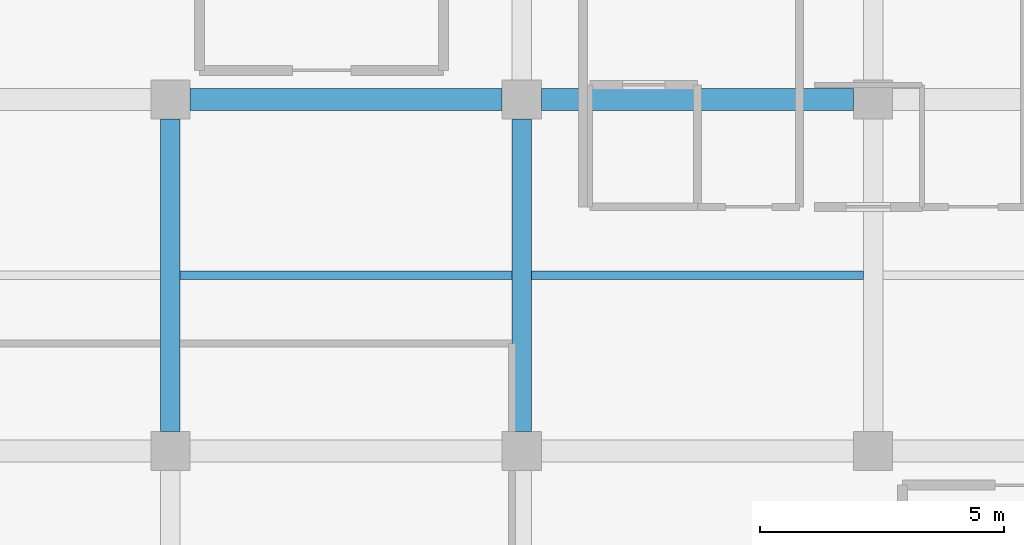
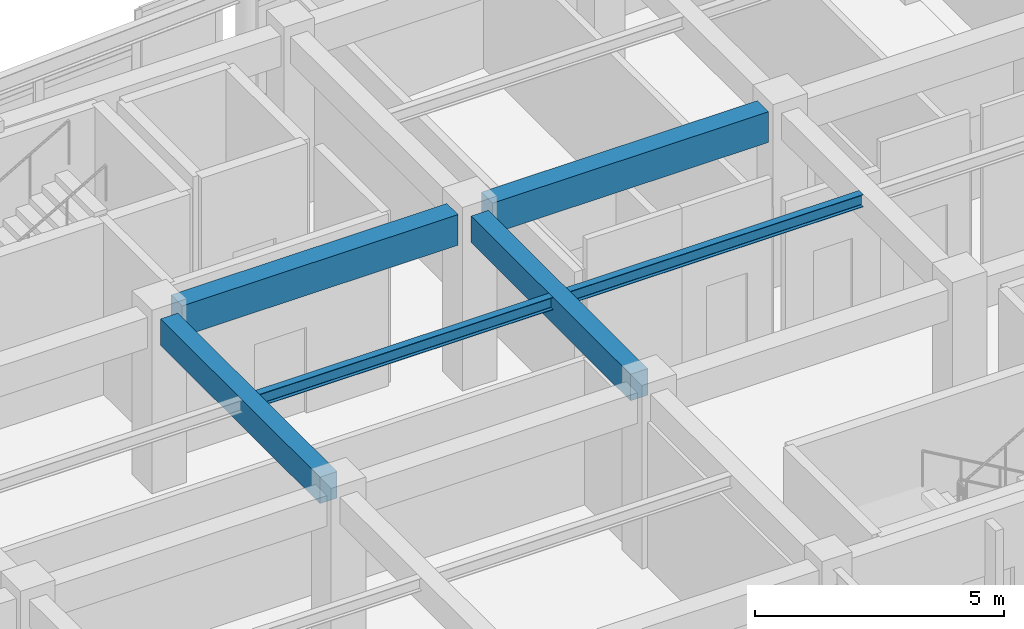
# One storey, part 31 of 106: 6 beams.
"""IFC4 building model written with IfcOpenShell, lengths in metres."""

from ifc_helpers import new_model, si_unit, direction, frame, origin, origin_2d, place, context, subcontext, project, spatial, rectangle, i_section, extrude, material, material_profile, profile_set, type_object, element, save


model = new_model("IFC4")

# Units and contexts
model_context = context("Model", 3, precision=1e-05, world=origin(), true_north=direction((0.0, 1.0)))
body_context = subcontext(model_context, "Body", "Model", "MODEL_VIEW")
ifc_project = project(units=[si_unit("LENGTHUNIT", "METRE"), si_unit("AREAUNIT", "SQUARE_METRE"), si_unit("VOLUMEUNIT", "CUBIC_METRE"), si_unit("PLANEANGLEUNIT", "RADIAN"), si_unit("MASSUNIT", "GRAM", prefix="KILO")], contexts=[model_context])

# Site, building, storey
site_placement = place(None, origin())
site = spatial("IfcSite", under=ifc_project, at=site_placement, CompositionType="ELEMENT")
building_placement = place(site_placement, origin())
building = spatial("IfcBuilding", under=site, at=building_placement, Name="Carrowvane Square Congress Hotel", CompositionType="ELEMENT")
storey_placement = place(building_placement, frame((0.0, 0.0, 10.5)))
storey = spatial("IfcBuildingStorey", under=building, at=storey_placement, Name="L02", CompositionType="ELEMENT", Elevation=10.5)

# Beams
ifc_material_1 = material(Name="Concrete C35/45", Category="concrete")
ifc_material_profile_1 = material_profile(ifc_material_1, rectangle(XDim=0.39990234375, YDim=0.64990234375, at=origin_2d()), Name="RC 400x650")
ifc_profile_set_1 = profile_set([ifc_material_profile_1], Name="Concrete C35/45")
beam_type_1 = type_object("IfcBeamType", Name="BM-RC-400x650", PredefinedType="BEAM", material=ifc_profile_set_1)
for number, where, z_axis, x_axis, name in (
    (1, (62.0, 99.39990234375, 3.89501953125), (0.0, 1.0, 0.0), (-1.0, 0.0, 0.0), "L03 girder 8/P-Q"),
    (2, (69.199951171875, 99.39990234375, 3.89501953125), (0.0, 1.0, 0.0), (-1.0, 0.0, 0.0), "L03 girder 9/P-Q"),
):
    element("IfcBeam", number, at=place(storey_placement, frame(where, z_axis=z_axis, x_axis=x_axis)), inside=storey, type_object=beam_type_1, Name=name, PredefinedType="BEAM", context=body_context, shape_type="SweptSolid", body=[
        extrude(rectangle(XDim=0.39990234375, YDim=0.64990234375, at=origin_2d()), origin(), (0.0, 0.0, 1.0), 6.400146484375),
    ])
ifc_material_2 = material(Name="Concrete C35/45", Category="concrete")
ifc_material_profile_2 = material_profile(ifc_material_2, rectangle(XDim=0.449951171875, YDim=0.75, at=origin_2d()), Name="RC 450x750")
ifc_profile_set_2 = profile_set([ifc_material_profile_2], Name="Concrete C35/45")
beam_type_2 = type_object("IfcBeamType", Name="BM-RC-450x750", PredefinedType="USERDEFINED", material=ifc_profile_set_2)
beam_1_placement = place(storey_placement, frame((62.39990234375, 106.199951171875, 3.844970703125), z_axis=(1.0, 0.0, 0.0), x_axis=(0.0, 1.0, 0.0)))
element("IfcBeam", 3, at=beam_1_placement, inside=storey, type_object=beam_type_2, Name="L03 girder Q/8-9", ObjectType="GIRDER", PredefinedType="USERDEFINED", context=body_context, shape_type="SweptSolid", body=[
    extrude(rectangle(XDim=0.449951171875, YDim=0.75, at=origin_2d()), origin(), (0.0, 0.0, 1.0), 6.400146484375),
])
beam_2_placement = place(storey_placement, frame((69.60009765625, 106.199951171875, 3.844970703125), z_axis=(1.0, 0.0, 0.0), x_axis=(0.0, 1.0, 0.0)))
element("IfcBeam", 4, at=beam_2_placement, inside=storey, type_object=beam_type_2, Name="L03 girder Q/9-10", ObjectType="GIRDER", PredefinedType="USERDEFINED", context=body_context, shape_type="SweptSolid", body=[
    extrude(rectangle(XDim=0.449951171875, YDim=0.75, at=origin_2d()), origin(), (0.0, 0.0, 1.0), 6.39990234375),
])
ifc_material_3 = material(Name="Steel S355", Category="steel")
ifc_material_profile_3 = material_profile(ifc_material_3, i_section(OverallWidth=0.165771484375, OverallDepth=0.306640625, WebThickness=0.006591796875, FlangeThickness=0.01171875, FilletRadius=0.0087890625, at=origin_2d()), Name="UKB 305x165x46")
ifc_profile_set_3 = profile_set([ifc_material_profile_3], Name="Steel S355")
beam_type_3 = type_object("IfcBeamType", Name="BM-ST-UKB305", PredefinedType="JOIST", material=ifc_profile_set_3)
for number, where, z_axis, x_axis, name in (
    (5, (62.199951171875, 102.60009765625, 4.066650390625), (1.0, 0.0, 0.0), (0.0, 1.0, 0.0), "L03 secondary joist 8-9"),
    (6, (69.39990234375, 102.60009765625, 4.066650390625), (1.0, 0.0, 0.0), (0.0, 1.0, 0.0), "L03 secondary joist 9-10"),
):
    element("IfcBeam", number, at=place(storey_placement, frame(where, z_axis=z_axis, x_axis=x_axis)), inside=storey, type_object=beam_type_3, Name=name, PredefinedType="JOIST", context=body_context, shape_type="SweptSolid", body=[
        extrude(i_section(OverallWidth=0.165771484375, OverallDepth=0.306640625, WebThickness=0.006591796875, FlangeThickness=0.01171875, FilletRadius=0.0087890625, at=origin_2d()), origin(), (0.0, 0.0, 1.0), 6.800048828125),
    ])

save(model, "model.ifc")
